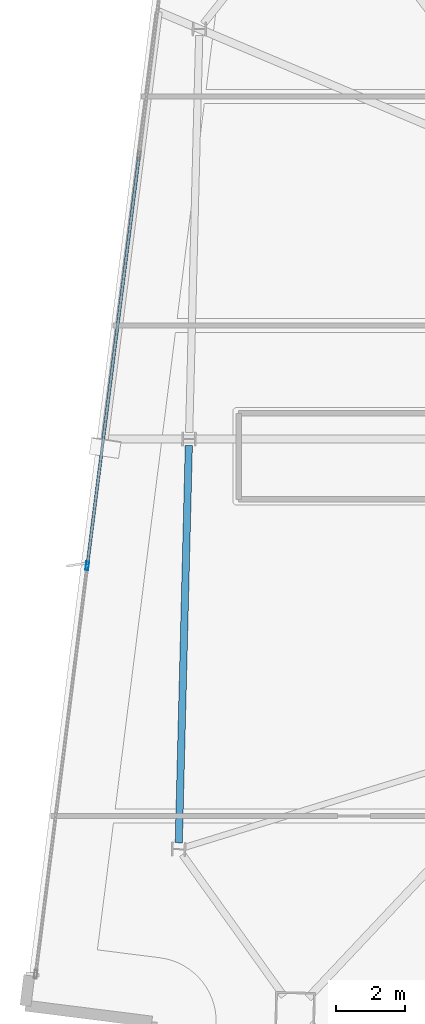
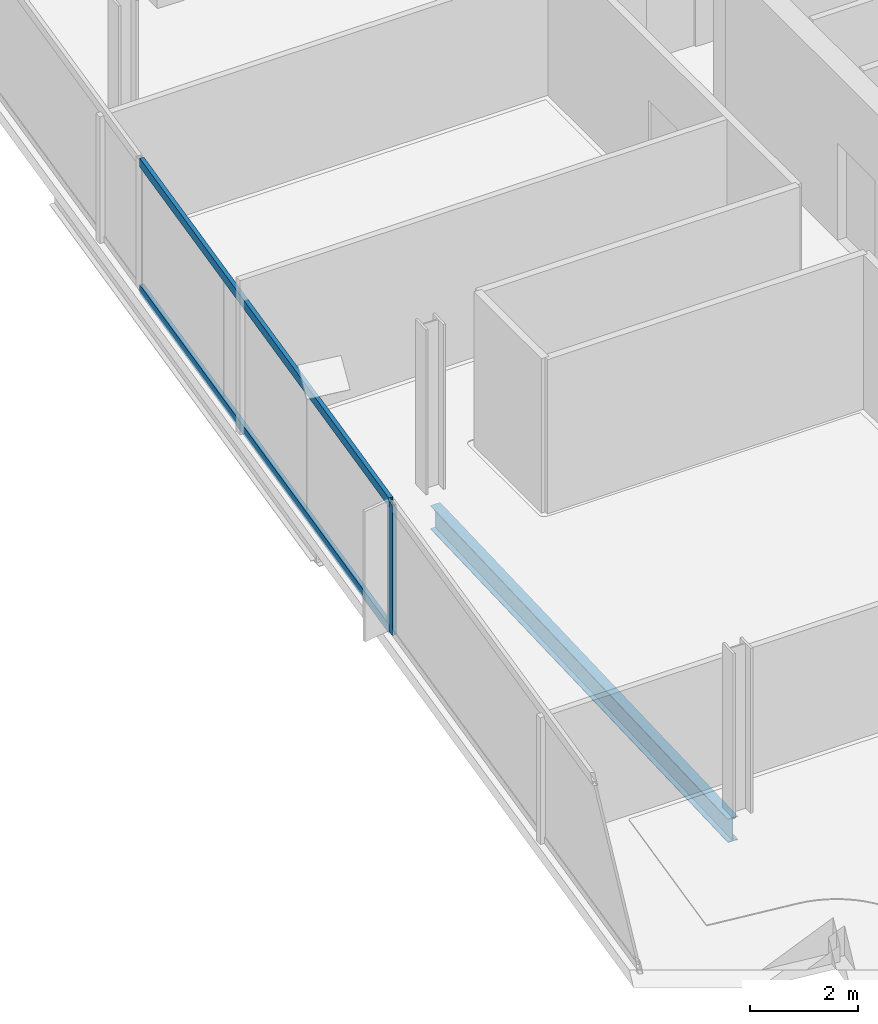
# One storey, part 5 of 23: 3 members, 1 beam, 1 element without a shape of its own.
"""IFC4 building model written with IfcOpenShell, lengths in metres."""

from ifc_helpers import new_model, si_unit, direction, frame, origin, origin_2d, place, context, subcontext, project, spatial, hollow_rectangle, i_section, extrude, material, material_profile, profile_set, type_object, element, aggregate, save


model = new_model("IFC4")

# Units and contexts
model_context = context("Model", 3, precision=1e-05, world=origin(), true_north=direction((0.0, 1.0)))
body_context = subcontext(model_context, "Body", "Model", "MODEL_VIEW")
ifc_project = project(units=[si_unit("LENGTHUNIT", "METRE"), si_unit("AREAUNIT", "SQUARE_METRE"), si_unit("VOLUMEUNIT", "CUBIC_METRE"), si_unit("PLANEANGLEUNIT", "RADIAN"), si_unit("MASSUNIT", "GRAM", prefix="KILO")], contexts=[model_context])

# Site, building, storey
site_placement = place(None, origin())
site = spatial("IfcSite", under=ifc_project, at=site_placement, CompositionType="ELEMENT")
building_placement = place(site_placement, origin())
building = spatial("IfcBuilding", under=site, at=building_placement, Name="Haldenkirk Collegiate Tower", CompositionType="ELEMENT")
storey_placement = place(building_placement, frame((0.0, 0.0, 306.449951171875)))
storey = spatial("IfcBuildingStorey", under=building, at=storey_placement, Name="L77", CompositionType="ELEMENT", Elevation=306.449951171875)

# Beam
ifc_material_1 = material(Name="Steel ASTM A992 Grade 50", Category="steel")
ifc_material_profile_1 = material_profile(ifc_material_1, i_section(OverallWidth=0.2099609375, OverallDepth=0.537109375, WebThickness=0.010986328125, FlangeThickness=0.017333984375, at=origin_2d()), Name="W21X68")
ifc_profile_set_1 = profile_set([ifc_material_profile_1], Name="Steel ASTM A992 Grade 50")
beam_type = type_object("IfcBeamType", Name="BM-SPANDREL-W21X68", PredefinedType="SPANDREL", material=ifc_profile_set_1)
beam_placement = place(storey_placement, frame((16.25146484375, 26.31201171875, -0.528564453125), z_axis=(-0.02528078186, -0.999680389959, 0.0), x_axis=(0.999680389959, -0.02528078186, 0.0)))
element("IfcBeam", 1, at=beam_placement, inside=storey, type_object=beam_type, Name="L77 perimeter spandrel beam 11", PredefinedType="SPANDREL", context=body_context, shape_type="SweptSolid", body=[
    extrude(i_section(OverallWidth=0.2099609375, OverallDepth=0.537109375, WebThickness=0.010986328125, FlangeThickness=0.017333984375, at=origin_2d()), origin(), (0.0, 0.0, 1.0), 11.540283203125),
])

# Curtain wall, members
ifc_material_2 = material(Name="Anodised architectural bronze aluminium", Category="aluminium")
curtain_wall_type = type_object("IfcCurtainWallType", Name="CW-SYS1B-CONVEX-HI", PredefinedType="USERDEFINED", material=ifc_material_2)
curtain_wall_placement = place(storey_placement, origin())
curtain_wall = element("IfcCurtainWall", 2, at=curtain_wall_placement, inside=storey, type_object=curtain_wall_type, Name="L77 Upper tower high-wind convex bronze unitised curtain wall", ObjectType="UNITISED CURTAIN WALL", PredefinedType="USERDEFINED")
ifc_material_profile_2 = material_profile(ifc_material_2, hollow_rectangle(XDim=0.0849609375, YDim=0.25, WallThickness=0.0048828125, at=origin_2d()), Name="CW-MUL-1B")
ifc_profile_set_2 = profile_set([ifc_material_profile_2], Name="Anodised architectural bronze aluminium")
member_type_1 = type_object("IfcMemberType", Name="CW-MUL-1B", PredefinedType="MULLION", material=ifc_profile_set_2)
member_1_placement = place(storey_placement, frame((13.302490234375, 22.819580078125, 0.0), z_axis=(0.0, 0.0, 1.0), x_axis=(-0.992114676148, 0.125333432781, 0.0)))
member_1 = element("IfcMember", 3, at=member_1_placement, type_object=member_type_1, Name="CW-1B mullion 2", PredefinedType="MULLION", context=body_context, shape_type="SweptSolid", body=[
    extrude(hollow_rectangle(XDim=0.0849609375, YDim=0.25, WallThickness=0.0048828125, at=origin_2d()), origin(), (0.0, 0.0, 1.0), 2.947998046875),
])
ifc_material_profile_3 = material_profile(ifc_material_2, hollow_rectangle(XDim=0.0849609375, YDim=0.199951171875, WallThickness=0.0048828125, at=origin_2d()), Name="CW-TRN-1B")
ifc_profile_set_3 = profile_set([ifc_material_profile_3], Name="Anodised architectural bronze aluminium")
member_type_2 = type_object("IfcMemberType", Name="CW-TRN-1B", PredefinedType="USERDEFINED", material=ifc_profile_set_3)
member_2_placement = place(storey_placement, frame((13.3076171875, 22.86181640625, 0.04248046875), z_axis=(0.125338433458, 0.992114044401, 0.0), x_axis=(-0.992114044401, 0.125338433458, 0.0)))
member_2 = element("IfcMember", 4, at=member_2_placement, type_object=member_type_2, Name="CW-1B transom 2.1", ObjectType="TRANSOM", PredefinedType="USERDEFINED", context=body_context, shape_type="SweptSolid", body=[
    extrude(hollow_rectangle(XDim=0.0849609375, YDim=0.199951171875, WallThickness=0.0048828125, at=origin_2d()), origin(), (0.0, 0.0, 1.0), 11.9150390625),
])
member_3_placement = place(storey_placement, frame((13.3076171875, 22.86181640625, 2.905517578125), z_axis=(0.125338433458, 0.992114044401, 0.0), x_axis=(-0.992114044401, 0.125338433458, 0.0)))
member_3 = element("IfcMember", 5, at=member_3_placement, type_object=member_type_2, Name="CW-1B transom 2.2", ObjectType="TRANSOM", PredefinedType="USERDEFINED", context=body_context, shape_type="SweptSolid", body=[
    extrude(hollow_rectangle(XDim=0.0849609375, YDim=0.199951171875, WallThickness=0.0048828125, at=origin_2d()), origin(), (0.0, 0.0, 1.0), 11.9150390625),
])
aggregate(curtain_wall, [member_1, member_2, member_3])

save(model, "model.ifc")
